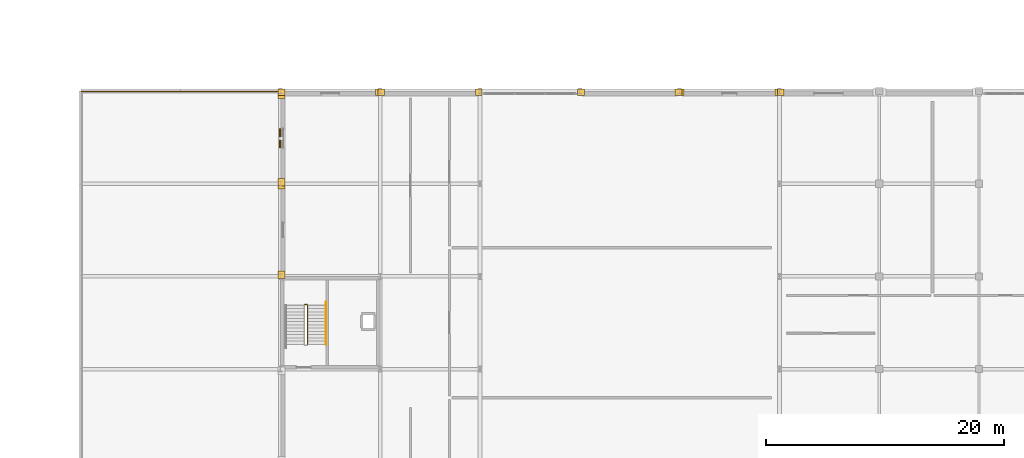
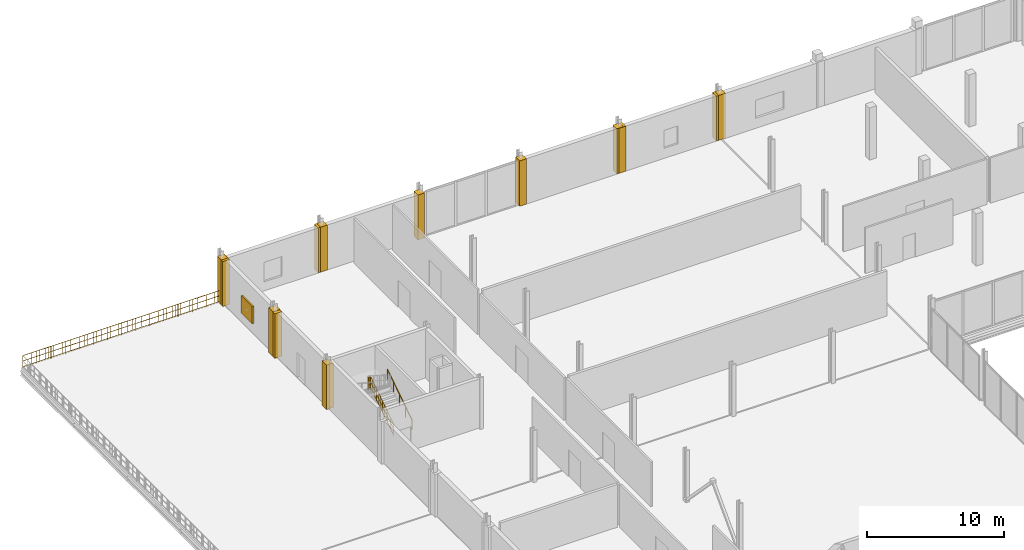
# One storey, part 93 of 98: 13 coverings, 4 railings, 1 shading device.
"""IFC4 building model written with IfcOpenShell, lengths in metres."""

from ifc_helpers import new_model, si_unit, direction, frame, origin, origin_2d, place, context, subcontext, project, spatial, polyline, rectangle, circle, outline, extrude, material, layer, layer_set, type_object, element, save


model = new_model("IFC4")

# Units and contexts
model_context = context("Model", 3, precision=1e-05, world=origin(), true_north=direction((0.0, 1.0)))
body_context = subcontext(model_context, "Body", "Model", "MODEL_VIEW")
ifc_project = project(units=[si_unit("LENGTHUNIT", "METRE"), si_unit("AREAUNIT", "SQUARE_METRE"), si_unit("VOLUMEUNIT", "CUBIC_METRE"), si_unit("PLANEANGLEUNIT", "RADIAN"), si_unit("MASSUNIT", "GRAM", prefix="KILO")], contexts=[model_context])

# Site, building, storey
site_placement = place(None, origin())
site = spatial("IfcSite", under=ifc_project, at=site_placement, CompositionType="ELEMENT")
building_placement = place(site_placement, origin())
building = spatial("IfcBuilding", under=site, at=building_placement, Name="Nabrawat Pavilion Hospital", CompositionType="ELEMENT")
storey_placement = place(building_placement, frame((0.0, 0.0, 10.199951171875)))
storey = spatial("IfcBuildingStorey", under=building, at=storey_placement, Name="L02", CompositionType="ELEMENT", Elevation=10.199951171875)

# Coverings
ifc_material_1 = material(Name="Precast concrete C40/50", Category="concrete")
ifc_layer_1 = layer(ifc_material_1, 0.360107421875, Name="Precast concrete C40/50")
ifc_layer_set_1 = layer_set([ifc_layer_1], Name="Precast concrete C40/50")
covering_type = type_object("IfcCoveringType", Name="Architectural Precast Column-Jamb Closure Reveal", PredefinedType="CLADDING", material=ifc_layer_set_1)
covering_1_placement = place(storey_placement, origin())
element("IfcCovering", 1, at=covering_1_placement, inside=storey, type_object=covering_type, Name="L02 Precast Facade Column-Jamb Weatherseal Closure 0339", PredefinedType="CLADDING", context=body_context, shape_type="SweptSolid", body=[
    extrude(outline(polyline([(17.199951171875, 101.219970703125), (17.199951171875, 101.85498046875), (16.6201171875, 101.85498046875), (16.6201171875, 101.219970703125), (17.199951171875, 101.219970703125)])), origin(), (0.0, 0.0, 1.0), 3.969970703125),
])
covering_2_placement = place(storey_placement, origin())
element("IfcCovering", 2, at=covering_2_placement, inside=storey, type_object=covering_type, Name="L02 Precast Facade Column-Jamb Weatherseal Closure 0340", PredefinedType="CLADDING", context=body_context, shape_type="SweptSolid", body=[
    extrude(outline(polyline([(17.199951171875, 108.7451171875), (17.199951171875, 109.3798828125), (16.6201171875, 109.3798828125), (16.6201171875, 108.7451171875), (17.199951171875, 108.7451171875)])), origin(), (0.0, 0.0, 1.0), 3.969970703125),
])
covering_3_placement = place(storey_placement, origin())
element("IfcCovering", 3, at=covering_3_placement, inside=storey, type_object=covering_type, Name="L02 Precast Facade Column-Jamb Weatherseal Closure 0341", PredefinedType="CLADDING", context=body_context, shape_type="SweptSolid", body=[
    extrude(outline(polyline([(17.199951171875, 109.02001953125), (17.199951171875, 109.655029296875), (16.6201171875, 109.655029296875), (16.6201171875, 109.02001953125), (17.199951171875, 109.02001953125)])), origin(), (0.0, 0.0, 1.0), 4.010009765625),
])
covering_4_placement = place(storey_placement, origin())
element("IfcCovering", 4, at=covering_4_placement, inside=storey, type_object=covering_type, Name="L02 Precast Facade Column-Jamb Weatherseal Closure 0342", PredefinedType="CLADDING", context=body_context, shape_type="SweptSolid", body=[
    extrude(outline(polyline([(17.199951171875, 116.3798828125), (17.199951171875, 117.179931640625), (16.6201171875, 117.179931640625), (16.6201171875, 116.3798828125), (17.199951171875, 116.3798828125)])), origin(), (0.0, 0.0, 1.0), 4.010009765625),
])
covering_5_placement = place(storey_placement, origin())
element("IfcCovering", 5, at=covering_5_placement, inside=storey, type_object=covering_type, Name="L02 Precast Facade Column-Jamb Weatherseal Closure 0343", PredefinedType="CLADDING", context=body_context, shape_type="SweptSolid", body=[
    extrude(outline(polyline([(17.179931640625, 116.60009765625), (17.179931640625, 117.179931640625), (16.6201171875, 117.179931640625), (16.6201171875, 116.60009765625), (17.179931640625, 116.60009765625)])), origin(), (0.0, 0.0, 1.0), 4.010009765625),
])
covering_6_placement = place(storey_placement, origin())
element("IfcCovering", 6, at=covering_6_placement, inside=storey, type_object=covering_type, Name="L02 Precast Facade Column-Jamb Weatherseal Closure 0344", PredefinedType="CLADDING", context=body_context, shape_type="SweptSolid", body=[
    extrude(outline(polyline([(25.3798828125, 116.60009765625), (25.3798828125, 117.179931640625), (24.820068359375, 117.179931640625), (24.820068359375, 116.60009765625), (25.3798828125, 116.60009765625)])), origin(), (0.0, 0.0, 1.0), 4.010009765625),
])
covering_7_placement = place(storey_placement, origin())
element("IfcCovering", 7, at=covering_7_placement, inside=storey, type_object=covering_type, Name="L02 Precast Facade Column-Jamb Weatherseal Closure 0345", PredefinedType="CLADDING", context=body_context, shape_type="SweptSolid", body=[
    extrude(outline(polyline([(25.580078125, 116.60009765625), (25.580078125, 117.179931640625), (25.02001953125, 117.179931640625), (25.02001953125, 116.60009765625), (25.580078125, 116.60009765625)])), origin(), (0.0, 0.0, 1.0), 4.010009765625),
])
covering_8_placement = place(storey_placement, origin())
element("IfcCovering", 8, at=covering_8_placement, inside=storey, type_object=covering_type, Name="L02 Precast Facade Column-Jamb Weatherseal Closure 0346", PredefinedType="CLADDING", context=body_context, shape_type="SweptSolid", body=[
    extrude(outline(polyline([(33.780029296875, 116.60009765625), (33.780029296875, 117.179931640625), (33.219970703125, 117.179931640625), (33.219970703125, 116.60009765625), (33.780029296875, 116.60009765625)])), origin(), (0.0, 0.0, 1.0), 4.010009765625),
])
covering_9_placement = place(storey_placement, origin())
element("IfcCovering", 9, at=covering_9_placement, inside=storey, type_object=covering_type, Name="L02 Precast Facade Column-Jamb Weatherseal Closure 0347", PredefinedType="CLADDING", context=body_context, shape_type="SweptSolid", body=[
    extrude(outline(polyline([(42.3798828125, 116.60009765625), (42.3798828125, 117.179931640625), (41.820068359375, 117.179931640625), (41.820068359375, 116.60009765625), (42.3798828125, 116.60009765625)])), origin(), (0.0, 0.0, 1.0), 4.0400390625),
])
covering_10_placement = place(storey_placement, origin())
element("IfcCovering", 10, at=covering_10_placement, inside=storey, type_object=covering_type, Name="L02 Precast Facade Column-Jamb Weatherseal Closure 0348", PredefinedType="CLADDING", context=body_context, shape_type="SweptSolid", body=[
    extrude(outline(polyline([(50.580078125, 116.60009765625), (50.580078125, 117.179931640625), (50.02001953125, 117.179931640625), (50.02001953125, 116.60009765625), (50.580078125, 116.60009765625)])), origin(), (0.0, 0.0, 1.0), 4.0400390625),
])
covering_11_placement = place(storey_placement, origin())
element("IfcCovering", 11, at=covering_11_placement, inside=storey, type_object=covering_type, Name="L02 Precast Facade Column-Jamb Weatherseal Closure 0349", PredefinedType="CLADDING", context=body_context, shape_type="SweptSolid", body=[
    extrude(outline(polyline([(50.780029296875, 116.60009765625), (50.780029296875, 117.179931640625), (50.219970703125, 117.179931640625), (50.219970703125, 116.60009765625), (50.780029296875, 116.60009765625)])), origin(), (0.0, 0.0, 1.0), 4.010009765625),
])
covering_12_placement = place(storey_placement, origin())
element("IfcCovering", 12, at=covering_12_placement, inside=storey, type_object=covering_type, Name="L02 Precast Facade Column-Jamb Weatherseal Closure 0350", PredefinedType="CLADDING", context=body_context, shape_type="SweptSolid", body=[
    extrude(outline(polyline([(58.97998046875, 116.60009765625), (58.97998046875, 117.179931640625), (58.419921875, 117.179931640625), (58.419921875, 116.60009765625), (58.97998046875, 116.60009765625)])), origin(), (0.0, 0.0, 1.0), 4.010009765625),
])
covering_13_placement = place(storey_placement, origin())
element("IfcCovering", 13, at=covering_13_placement, inside=storey, type_object=covering_type, Name="L02 Precast Facade Column-Jamb Weatherseal Closure 0355", PredefinedType="CLADDING", context=body_context, shape_type="SweptSolid", body=[
    extrude(outline(polyline([(59.179931640625, 116.60009765625), (59.179931640625, 117.179931640625), (58.6201171875, 117.179931640625), (58.6201171875, 116.60009765625), (59.179931640625, 116.60009765625)])), origin(), (0.0, 0.0, 1.0), 4.010009765625),
])

# Railing
ifc_material_2 = material(Name="Stainless Steel 316", Category="steel")
ifc_layer_2 = layer(ifc_material_2, 0.070068359375, Name="Stainless Steel 316")
ifc_layer_set_2 = layer_set([ifc_layer_2], Name="Stainless Steel 316")
railing_type_1 = type_object("IfcRailingType", Name="Exterior Clinical Terrace Safety Guardrail 1100", PredefinedType="GUARDRAIL", material=ifc_layer_set_2)
railing_1_placement = place(storey_placement, frame((0.06005859375, 116.93994140625, 0.0)))
element("IfcRailing", 14, at=railing_1_placement, inside=storey, type_object=railing_type_1, Name="L02 Terrace Edge Safety Guardrail T_L02_SURG_WEST_N North", PredefinedType="GUARDRAIL", context=body_context, shape_type="SweptSolid", body=[
    extrude(circle(Radius=0.02392578125, at=origin_2d()), frame((0.0, 0.0, 1.076171875), z_axis=(1.0, 0.0, 0.0), x_axis=(0.0, 1.0, 0.0)), (0.0, 0.0, 1.0), 16.679931640625),
    extrude(circle(Radius=0.02392578125, at=origin_2d()), frame((0.0, 0.0, 0.10009765625), z_axis=(1.0, 0.0, 0.0), x_axis=(0.0, 1.0, 0.0)), (0.0, 0.0, 1.0), 16.679931640625),
    extrude(circle(Radius=0.02392578125, at=origin_2d()), frame((0.0, 0.0, 0.60498046875), z_axis=(1.0, 0.0, 0.0), x_axis=(0.0, 1.0, 0.0)), (0.0, 0.0, 1.0), 16.679931640625),
    extrude(circle(Radius=0.008056640625, at=origin_2d()), frame((0.23828125, 0.0, 0.10009765625)), (0.0, 0.0, 1.0), 0.951904296875),
    extrude(circle(Radius=0.008056640625, at=origin_2d()), frame((0.4765625, 0.0, 0.10009765625)), (0.0, 0.0, 1.0), 0.951904296875),
    extrude(circle(Radius=0.008056640625, at=origin_2d()), frame((0.71484375, 0.0, 0.10009765625)), (0.0, 0.0, 1.0), 0.951904296875),
    extrude(circle(Radius=0.008056640625, at=origin_2d()), frame((0.953125, 0.0, 0.10009765625)), (0.0, 0.0, 1.0), 0.951904296875),
    extrude(circle(Radius=0.008056640625, at=origin_2d()), frame((1.4296875, 0.0, 0.10009765625)), (0.0, 0.0, 1.0), 0.951904296875),
    extrude(circle(Radius=0.008056640625, at=origin_2d()), frame((1.66796875, 0.0, 0.10009765625)), (0.0, 0.0, 1.0), 0.951904296875),
    extrude(circle(Radius=0.008056640625, at=origin_2d()), frame((1.90625, 0.0, 0.10009765625)), (0.0, 0.0, 1.0), 0.951904296875),
    extrude(circle(Radius=0.008056640625, at=origin_2d()), frame((2.14453125, 0.0, 0.10009765625)), (0.0, 0.0, 1.0), 0.951904296875),
    extrude(circle(Radius=0.008056640625, at=origin_2d()), frame((2.62109375, 0.0, 0.10009765625)), (0.0, 0.0, 1.0), 0.951904296875),
    extrude(circle(Radius=0.008056640625, at=origin_2d()), frame((2.859375, 0.0, 0.10009765625)), (0.0, 0.0, 1.0), 0.951904296875),
    extrude(circle(Radius=0.008056640625, at=origin_2d()), frame((3.09765625, 0.0, 0.10009765625)), (0.0, 0.0, 1.0), 0.951904296875),
    extrude(circle(Radius=0.008056640625, at=origin_2d()), frame((3.3359375, 0.0, 0.10009765625)), (0.0, 0.0, 1.0), 0.951904296875),
    extrude(circle(Radius=0.008056640625, at=origin_2d()), frame((3.8125, 0.0, 0.10009765625)), (0.0, 0.0, 1.0), 0.951904296875),
    extrude(circle(Radius=0.008056640625, at=origin_2d()), frame((4.05078125, 0.0, 0.10009765625)), (0.0, 0.0, 1.0), 0.951904296875),
    extrude(circle(Radius=0.008056640625, at=origin_2d()), frame((4.2890625, 0.0, 0.10009765625)), (0.0, 0.0, 1.0), 0.951904296875),
    extrude(circle(Radius=0.008056640625, at=origin_2d()), frame((4.52734375, 0.0, 0.10009765625)), (0.0, 0.0, 1.0), 0.951904296875),
    extrude(circle(Radius=0.008056640625, at=origin_2d()), frame((5.00390625, 0.0, 0.10009765625)), (0.0, 0.0, 1.0), 0.951904296875),
    extrude(circle(Radius=0.008056640625, at=origin_2d()), frame((5.2421875, 0.0, 0.10009765625)), (0.0, 0.0, 1.0), 0.951904296875),
    extrude(circle(Radius=0.008056640625, at=origin_2d()), frame((5.48046875, 0.0, 0.10009765625)), (0.0, 0.0, 1.0), 0.951904296875),
    extrude(circle(Radius=0.008056640625, at=origin_2d()), frame((5.71875, 0.0, 0.10009765625)), (0.0, 0.0, 1.0), 0.951904296875),
    extrude(circle(Radius=0.008056640625, at=origin_2d()), frame((6.1953125, 0.0, 0.10009765625)), (0.0, 0.0, 1.0), 0.951904296875),
    extrude(circle(Radius=0.008056640625, at=origin_2d()), frame((6.43359375, 0.0, 0.10009765625)), (0.0, 0.0, 1.0), 0.951904296875),
    extrude(circle(Radius=0.008056640625, at=origin_2d()), frame((6.671875, 0.0, 0.10009765625)), (0.0, 0.0, 1.0), 0.951904296875),
    extrude(circle(Radius=0.008056640625, at=origin_2d()), frame((6.91015625, 0.0, 0.10009765625)), (0.0, 0.0, 1.0), 0.951904296875),
    extrude(circle(Radius=0.008056640625, at=origin_2d()), frame((7.38671875, 0.0, 0.10009765625)), (0.0, 0.0, 1.0), 0.951904296875),
    extrude(circle(Radius=0.008056640625, at=origin_2d()), frame((7.625, 0.0, 0.10009765625)), (0.0, 0.0, 1.0), 0.951904296875),
    extrude(circle(Radius=0.008056640625, at=origin_2d()), frame((7.86328125, 0.0, 0.10009765625)), (0.0, 0.0, 1.0), 0.951904296875),
    extrude(circle(Radius=0.008056640625, at=origin_2d()), frame((8.1015625, 0.0, 0.10009765625)), (0.0, 0.0, 1.0), 0.951904296875),
    extrude(circle(Radius=0.008056640625, at=origin_2d()), frame((8.578369140625, 0.0, 0.10009765625)), (0.0, 0.0, 1.0), 0.951904296875),
    extrude(circle(Radius=0.008056640625, at=origin_2d()), frame((8.816650390625, 0.0, 0.10009765625)), (0.0, 0.0, 1.0), 0.951904296875),
    extrude(circle(Radius=0.008056640625, at=origin_2d()), frame((9.054931640625, 0.0, 0.10009765625)), (0.0, 0.0, 1.0), 0.951904296875),
    extrude(circle(Radius=0.008056640625, at=origin_2d()), frame((9.293212890625, 0.0, 0.10009765625)), (0.0, 0.0, 1.0), 0.951904296875),
    extrude(circle(Radius=0.008056640625, at=origin_2d()), frame((9.769775390625, 0.0, 0.10009765625)), (0.0, 0.0, 1.0), 0.951904296875),
    extrude(circle(Radius=0.008056640625, at=origin_2d()), frame((10.008056640625, 0.0, 0.10009765625)), (0.0, 0.0, 1.0), 0.951904296875),
    extrude(circle(Radius=0.008056640625, at=origin_2d()), frame((10.246337890625, 0.0, 0.10009765625)), (0.0, 0.0, 1.0), 0.951904296875),
    extrude(circle(Radius=0.008056640625, at=origin_2d()), frame((10.484619140625, 0.0, 0.10009765625)), (0.0, 0.0, 1.0), 0.951904296875),
    extrude(circle(Radius=0.008056640625, at=origin_2d()), frame((10.961181640625, 0.0, 0.10009765625)), (0.0, 0.0, 1.0), 0.951904296875),
    extrude(circle(Radius=0.008056640625, at=origin_2d()), frame((11.199462890625, 0.0, 0.10009765625)), (0.0, 0.0, 1.0), 0.951904296875),
    extrude(circle(Radius=0.008056640625, at=origin_2d()), frame((11.437744140625, 0.0, 0.10009765625)), (0.0, 0.0, 1.0), 0.951904296875),
    extrude(circle(Radius=0.008056640625, at=origin_2d()), frame((11.676025390625, 0.0, 0.10009765625)), (0.0, 0.0, 1.0), 0.951904296875),
    extrude(circle(Radius=0.008056640625, at=origin_2d()), frame((12.152587890625, 0.0, 0.10009765625)), (0.0, 0.0, 1.0), 0.951904296875),
    extrude(circle(Radius=0.008056640625, at=origin_2d()), frame((12.390869140625, 0.0, 0.10009765625)), (0.0, 0.0, 1.0), 0.951904296875),
    extrude(circle(Radius=0.008056640625, at=origin_2d()), frame((12.629150390625, 0.0, 0.10009765625)), (0.0, 0.0, 1.0), 0.951904296875),
    extrude(circle(Radius=0.008056640625, at=origin_2d()), frame((12.867431640625, 0.0, 0.10009765625)), (0.0, 0.0, 1.0), 0.951904296875),
    extrude(circle(Radius=0.008056640625, at=origin_2d()), frame((13.343994140625, 0.0, 0.10009765625)), (0.0, 0.0, 1.0), 0.951904296875),
    extrude(circle(Radius=0.008056640625, at=origin_2d()), frame((13.582275390625, 0.0, 0.10009765625)), (0.0, 0.0, 1.0), 0.951904296875),
    extrude(circle(Radius=0.008056640625, at=origin_2d()), frame((13.820556640625, 0.0, 0.10009765625)), (0.0, 0.0, 1.0), 0.951904296875),
    extrude(circle(Radius=0.008056640625, at=origin_2d()), frame((14.058837890625, 0.0, 0.10009765625)), (0.0, 0.0, 1.0), 0.951904296875),
    extrude(circle(Radius=0.008056640625, at=origin_2d()), frame((14.535400390625, 0.0, 0.10009765625)), (0.0, 0.0, 1.0), 0.951904296875),
    extrude(circle(Radius=0.008056640625, at=origin_2d()), frame((14.773681640625, 0.0, 0.10009765625)), (0.0, 0.0, 1.0), 0.951904296875),
    extrude(circle(Radius=0.008056640625, at=origin_2d()), frame((15.011962890625, 0.0, 0.10009765625)), (0.0, 0.0, 1.0), 0.951904296875),
    extrude(circle(Radius=0.008056640625, at=origin_2d()), frame((15.250244140625, 0.0, 0.10009765625)), (0.0, 0.0, 1.0), 0.951904296875),
    extrude(circle(Radius=0.008056640625, at=origin_2d()), frame((15.726806640625, 0.0, 0.10009765625)), (0.0, 0.0, 1.0), 0.951904296875),
    extrude(circle(Radius=0.008056640625, at=origin_2d()), frame((15.965087890625, 0.0, 0.10009765625)), (0.0, 0.0, 1.0), 0.951904296875),
    extrude(circle(Radius=0.008056640625, at=origin_2d()), frame((16.203369140625, 0.0, 0.10009765625)), (0.0, 0.0, 1.0), 0.951904296875),
    extrude(circle(Radius=0.008056640625, at=origin_2d()), frame((16.441650390625, 0.0, 0.10009765625)), (0.0, 0.0, 1.0), 0.951904296875),
    extrude(circle(Radius=0.02099609375, at=origin_2d()), origin(), (0.0, 0.0, 1.0), 1.052001953125),
    extrude(circle(Radius=0.02099609375, at=origin_2d()), frame((1.19140625, 0.0, 0.0)), (0.0, 0.0, 1.0), 1.052001953125),
    extrude(circle(Radius=0.02099609375, at=origin_2d()), frame((2.3828125, 0.0, 0.0)), (0.0, 0.0, 1.0), 1.052001953125),
    extrude(circle(Radius=0.02099609375, at=origin_2d()), frame((3.57421875, 0.0, 0.0)), (0.0, 0.0, 1.0), 1.052001953125),
    extrude(circle(Radius=0.02099609375, at=origin_2d()), frame((4.765625, 0.0, 0.0)), (0.0, 0.0, 1.0), 1.052001953125),
    extrude(circle(Radius=0.02099609375, at=origin_2d()), frame((5.95703125, 0.0, 0.0)), (0.0, 0.0, 1.0), 1.052001953125),
    extrude(circle(Radius=0.02099609375, at=origin_2d()), frame((7.1484375, 0.0, 0.0)), (0.0, 0.0, 1.0), 1.052001953125),
    extrude(circle(Radius=0.02099609375, at=origin_2d()), frame((8.33984375, 0.0, 0.0)), (0.0, 0.0, 1.0), 1.052001953125),
    extrude(circle(Radius=0.02099609375, at=origin_2d()), frame((9.531494140625, 0.0, 0.0)), (0.0, 0.0, 1.0), 1.052001953125),
    extrude(circle(Radius=0.02099609375, at=origin_2d()), frame((10.722900390625, 0.0, 0.0)), (0.0, 0.0, 1.0), 1.052001953125),
    extrude(circle(Radius=0.02099609375, at=origin_2d()), frame((11.914306640625, 0.0, 0.0)), (0.0, 0.0, 1.0), 1.052001953125),
    extrude(circle(Radius=0.02099609375, at=origin_2d()), frame((13.105712890625, 0.0, 0.0)), (0.0, 0.0, 1.0), 1.052001953125),
    extrude(circle(Radius=0.02099609375, at=origin_2d()), frame((14.297119140625, 0.0, 0.0)), (0.0, 0.0, 1.0), 1.052001953125),
    extrude(circle(Radius=0.02099609375, at=origin_2d()), frame((15.488525390625, 0.0, 0.0)), (0.0, 0.0, 1.0), 1.052001953125),
    extrude(circle(Radius=0.02099609375, at=origin_2d()), frame((16.679931640625, 0.0, 0.0)), (0.0, 0.0, 1.0), 1.052001953125),
])

# Shading device
ifc_layer_3 = layer(ifc_material_1, 2.39990234375, Name="Precast concrete C40/50")
ifc_layer_set_3 = layer_set([ifc_layer_3], Name="Precast concrete C40/50")
shading_device_type = type_object("IfcShadingDeviceType", Name="Perforated GFRC Mashrabiya Solar Fin", PredefinedType="JALOUSIE", material=ifc_layer_set_3)
shading_device_placement = place(storey_placement, frame((16.77001953125, 113.017578125, 0.9501953125), z_axis=(0.0, 0.0, 1.0), x_axis=(0.0, 1.0, 0.0)))
element("IfcShadingDevice", 15, at=shading_device_placement, inside=storey, type_object=shading_device_type, Name="L02 Perforated GFRC Mashrabiya Screen 013", PredefinedType="JALOUSIE", context=body_context, shape_type="SweptSolid", body=[
    extrude(rectangle(XDim=1.60009765625, YDim=0.139892578125, at=origin_2d()), origin(), (0.0, 0.0, 1.0), 1.550048828125),
])

# Railings
ifc_layer_4 = layer(ifc_material_2, 0.050048828125, Name="Stainless Steel 316")
ifc_layer_set_4 = layer_set([ifc_layer_4], Name="Stainless Steel 316")
railing_type_2 = type_object("IfcRailingType", Name="Stair Open-Well Safety Guardrail 1100", PredefinedType="GUARDRAIL", material=ifc_layer_set_4)
railing_2_placement = place(storey_placement, frame((19.074951171875, 95.669921875, 0.178955078125)))
element("IfcRailing", 16, at=railing_2_placement, inside=storey, type_object=railing_type_2, Name="L02 ST-07 stair guard 1", PredefinedType="GUARDRAIL", context=body_context, shape_type="SweptSolid", body=[
    extrude(circle(Radius=0.02392578125, at=origin_2d()), frame((0.0, 0.0, 1.076171875), z_axis=(0.0, 0.838331656441, 0.545160557825), x_axis=(-1.0, 0.0, 0.0)), (0.0, 0.0, 1.0), 3.9365234375),
    extrude(circle(Radius=0.02392578125, at=origin_2d()), frame((0.0, 0.0, 0.10009765625), z_axis=(0.0, 0.838331656441, 0.545160557825), x_axis=(-1.0, 0.0, 0.0)), (0.0, 0.0, 1.0), 3.9365234375),
    extrude(circle(Radius=0.02392578125, at=origin_2d()), frame((0.0, 0.0, 0.60498046875), z_axis=(0.0, 0.838331656441, 0.545160557825), x_axis=(-1.0, 0.0, 0.0)), (0.0, 0.0, 1.0), 3.9365234375),
    extrude(circle(Radius=0.008056640625, at=origin_2d()), frame((0.0, 0.194091796875, 0.226318359375)), (0.0, 0.0, 1.0), 0.951904296875),
    extrude(circle(Radius=0.008056640625, at=origin_2d()), frame((0.0, 0.38818359375, 0.3525390625)), (0.0, 0.0, 1.0), 0.951904296875),
    extrude(circle(Radius=0.008056640625, at=origin_2d()), frame((0.0, 0.582275390625, 0.478759765625)), (0.0, 0.0, 1.0), 0.951904296875),
    extrude(circle(Radius=0.008056640625, at=origin_2d()), frame((0.0, 0.7763671875, 0.60498046875)), (0.0, 0.0, 1.0), 0.951904296875),
    extrude(circle(Radius=0.008056640625, at=origin_2d()), frame((0.0, 0.970703125, 0.731201171875)), (0.0, 0.0, 1.0), 0.951904296875),
    extrude(circle(Radius=0.008056640625, at=origin_2d()), frame((0.0, 1.164794921875, 0.857421875)), (0.0, 0.0, 1.0), 0.951904296875),
    extrude(circle(Radius=0.008056640625, at=origin_2d()), frame((0.0, 1.35888671875, 0.983642578125)), (0.0, 0.0, 1.0), 0.951904296875),
    extrude(circle(Radius=0.008056640625, at=origin_2d()), frame((0.0, 1.552978515625, 1.10986328125)), (0.0, 0.0, 1.0), 0.951904296875),
    extrude(circle(Radius=0.008056640625, at=origin_2d()), frame((0.0, 1.7470703125, 1.236083984375)), (0.0, 0.0, 1.0), 0.951904296875),
    extrude(circle(Radius=0.008056640625, at=origin_2d()), frame((0.0, 1.941162109375, 1.3623046875)), (0.0, 0.0, 1.0), 0.951904296875),
    extrude(circle(Radius=0.008056640625, at=origin_2d()), frame((0.0, 2.13525390625, 1.488525390625)), (0.0, 0.0, 1.0), 0.951904296875),
    extrude(circle(Radius=0.008056640625, at=origin_2d()), frame((0.0, 2.329345703125, 1.61474609375)), (0.0, 0.0, 1.0), 0.951904296875),
    extrude(circle(Radius=0.008056640625, at=origin_2d()), frame((0.0, 2.523681640625, 1.740966796875)), (0.0, 0.0, 1.0), 0.951904296875),
    extrude(circle(Radius=0.008056640625, at=origin_2d()), frame((0.0, 2.7177734375, 1.8671875)), (0.0, 0.0, 1.0), 0.951904296875),
    extrude(circle(Radius=0.008056640625, at=origin_2d()), frame((0.0, 2.911865234375, 1.993408203125)), (0.0, 0.0, 1.0), 0.951904296875),
    extrude(circle(Radius=0.008056640625, at=origin_2d()), frame((0.0, 3.10595703125, 2.119873046875)), (0.0, 0.0, 1.0), 0.951904296875),
    extrude(circle(Radius=0.02099609375, at=origin_2d()), origin(), (0.0, 0.0, 1.0), 1.052001953125),
    extrude(circle(Radius=0.02099609375, at=origin_2d()), frame((0.0, 0.824951171875, 0.53662109375)), (0.0, 0.0, 1.0), 1.052001953125),
    extrude(circle(Radius=0.02099609375, at=origin_2d()), frame((0.0, 1.64990234375, 1.072998046875)), (0.0, 0.0, 1.0), 1.052001953125),
    extrude(circle(Radius=0.02099609375, at=origin_2d()), frame((0.0, 2.47509765625, 1.609375)), (0.0, 0.0, 1.0), 1.052001953125),
    extrude(circle(Radius=0.02099609375, at=origin_2d()), frame((0.0, 3.300048828125, 2.14599609375)), (0.0, 0.0, 1.0), 1.052001953125),
])
railing_3_placement = place(storey_placement, frame((19.050048828125, 99.02001953125, 2.324951171875)))
element("IfcRailing", 17, at=railing_3_placement, inside=storey, type_object=railing_type_2, Name="L02 ST-07 stair guard 2", PredefinedType="GUARDRAIL", context=body_context, shape_type="SweptSolid", body=[
    extrude(circle(Radius=0.02392578125, at=origin_2d()), frame((0.0, 0.0, 1.076171875), z_axis=(-1.0, 0.0, 0.0), x_axis=(0.0, -1.0, 0.0)), (0.0, 0.0, 1.0), 0.199951171875),
    extrude(circle(Radius=0.02392578125, at=origin_2d()), frame((0.0, 0.0, 0.10009765625), z_axis=(-1.0, 0.0, 0.0), x_axis=(0.0, -1.0, 0.0)), (0.0, 0.0, 1.0), 0.199951171875),
    extrude(circle(Radius=0.02392578125, at=origin_2d()), frame((0.0, 0.0, 0.60498046875), z_axis=(-1.0, 0.0, 0.0), x_axis=(0.0, -1.0, 0.0)), (0.0, 0.0, 1.0), 0.199951171875),
    extrude(circle(Radius=0.008056640625, at=origin_2d()), frame((-0.10009765625, 0.0, 0.10009765625)), (0.0, 0.0, 1.0), 0.951904296875),
    extrude(circle(Radius=0.02099609375, at=origin_2d()), origin(), (0.0, 0.0, 1.0), 1.052001953125),
    extrude(circle(Radius=0.02099609375, at=origin_2d()), frame((-0.199951171875, 0.0, 0.0)), (0.0, 0.0, 1.0), 1.052001953125),
])
ifc_layer_5 = layer(ifc_material_2, 0.044921875, Name="Stainless Steel 316")
ifc_layer_set_5 = layer_set([ifc_layer_5], Name="Stainless Steel 316")
railing_type_3 = type_object("IfcRailingType", Name="Stair Pitch Continuous Handrail 920", PredefinedType="HANDRAIL", material=ifc_layer_set_5)
railing_4_placement = place(storey_placement, frame((20.625, 95.669921875, 0.182861328125)))
element("IfcRailing", 18, at=railing_4_placement, inside=storey, type_object=railing_type_3, Name="L02 ST-07 stair handrail 1", PredefinedType="HANDRAIL", context=body_context, shape_type="SweptSolid", body=[
    extrude(circle(Radius=0.02392578125, at=origin_2d()), frame((0.0, 0.0, 0.89599609375), z_axis=(0.0, 0.838328499472, 0.545165412488), x_axis=(-1.0, 0.0, 0.0)), (0.0, 0.0, 1.0), 4.2646484375),
    extrude(circle(Radius=0.02099609375, at=origin_2d()), origin(), (0.0, 0.0, 1.0), 0.871826171875),
    extrude(circle(Radius=0.02099609375, at=origin_2d()), frame((0.0, 0.893798828125, 0.581298828125)), (0.0, 0.0, 1.0), 0.871826171875),
    extrude(circle(Radius=0.02099609375, at=origin_2d()), frame((0.0, 1.78759765625, 1.16259765625)), (0.0, 0.0, 1.0), 0.871826171875),
    extrude(circle(Radius=0.02099609375, at=origin_2d()), frame((0.0, 2.681396484375, 1.74365234375)), (0.0, 0.0, 1.0), 0.871826171875),
    extrude(circle(Radius=0.02099609375, at=origin_2d()), frame((0.0, 3.5751953125, 2.324951171875)), (0.0, 0.0, 1.0), 0.871826171875),
])

save(model, "model.ifc")
